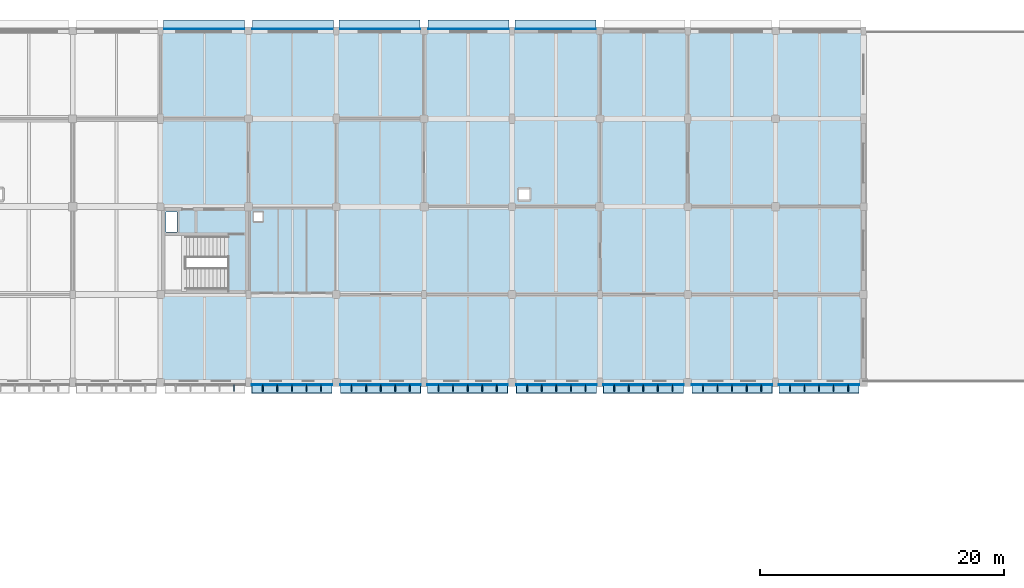
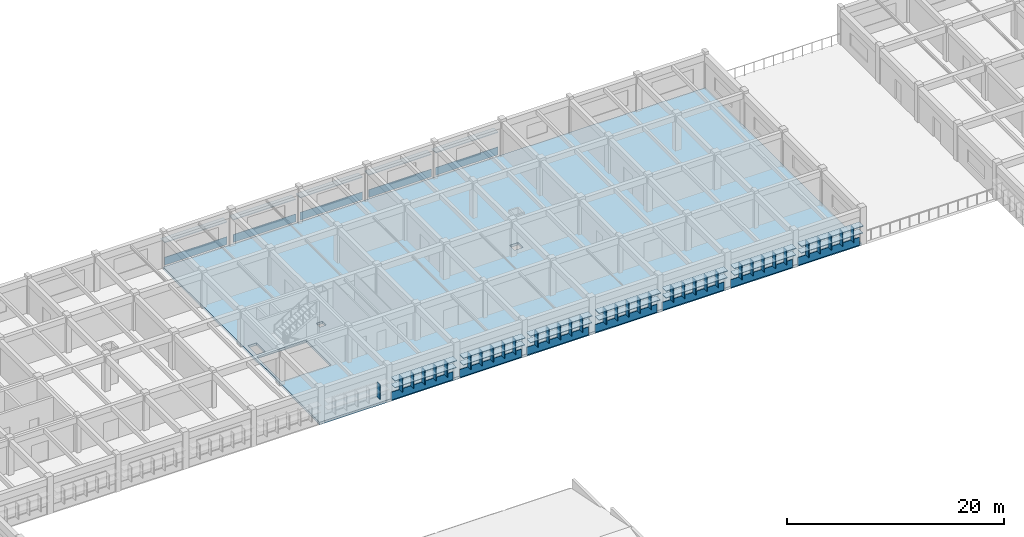
# One storey, part 75 of 103: 67 plates, 1 slab.
"""IFC4 building model written with IfcOpenShell, lengths in metres."""

from ifc_helpers import new_model, si_unit, direction, frame, origin, origin_2d, place, context, subcontext, project, spatial, polyline, rectangle, outline, extrude, material, layer, layer_set, type_object, element, save


model = new_model("IFC4")

# Units and contexts
model_context = context("Model", 3, precision=1e-05, world=origin(), true_north=direction((0.0, 1.0)))
body_context = subcontext(model_context, "Body", "Model", "MODEL_VIEW")
ifc_project = project(units=[si_unit("LENGTHUNIT", "METRE"), si_unit("AREAUNIT", "SQUARE_METRE"), si_unit("VOLUMEUNIT", "CUBIC_METRE"), si_unit("PLANEANGLEUNIT", "RADIAN"), si_unit("MASSUNIT", "GRAM", prefix="KILO")], contexts=[model_context])

# Site, building, storey
site_placement = place(None, origin())
site = spatial("IfcSite", under=ifc_project, at=site_placement, CompositionType="ELEMENT")
building_placement = place(site_placement, origin())
building = spatial("IfcBuilding", under=site, at=building_placement, Name="Thalmaran Polytechnic", CompositionType="ELEMENT")
storey_placement = place(building_placement, frame((0.0, 0.0, 14.39990234375)))
storey = spatial("IfcBuildingStorey", under=building, at=storey_placement, Name="L03", CompositionType="ELEMENT", Elevation=14.39990234375)

# Plates
ifc_material_1 = material(Name="Anodised aluminium spandrel band", Category="aluminium")
ifc_layer_1 = layer(ifc_material_1, 0.054931640625, Name="Anodised aluminium spandrel band")
ifc_layer_set_1 = layer_set([ifc_layer_1], Name="Anodised aluminium spandrel band")
plate_type_1 = type_object("IfcPlateType", Name="PT-BD01", PredefinedType="SHEET", material=ifc_layer_set_1)
for number, where, z_axis, x_axis, name in (
    (1, (61.14990234375, 122.570068359375, 0.020263671875), (0.0, 0.0, 1.0), (1.0, 0.0, 0.0), "Streamline Horizontal Spandrel Band L03-064"),
    (2, (68.449951171875, 122.570068359375, 0.020263671875), (0.0, 0.0, 1.0), (1.0, 0.0, 0.0), "Streamline Horizontal Spandrel Band L03-065"),
    (3, (75.550048828125, 122.570068359375, 0.020263671875), (0.0, 0.0, 1.0), (1.0, 0.0, 0.0), "Streamline Horizontal Spandrel Band L03-066"),
    (4, (82.85009765625, 122.570068359375, 0.020263671875), (0.0, 0.0, 1.0), (1.0, 0.0, 0.0), "Streamline Horizontal Spandrel Band L03-067"),
    (5, (89.949951171875, 122.570068359375, 0.020263671875), (0.0, 0.0, 1.0), (1.0, 0.0, 0.0), "Streamline Horizontal Spandrel Band L03-068"),
):
    element("IfcPlate", number, at=place(storey_placement, frame(where, z_axis=z_axis, x_axis=x_axis)), inside=storey, type_object=plate_type_1, Name=name, PredefinedType="SHEET", context=body_context, shape_type="SweptSolid", body=[
        extrude(rectangle(XDim=6.639892578125, YDim=0.054931640625, at=origin_2d()), origin(), (0.0, 0.0, 1.0), 0.8798828125),
    ])
for number, where, z_axis, x_axis, name in (
    (6, (111.5625, 93.405029296875, 0.020263671875), (0.0, 0.0, 1.0), (-1.0, 0.0, 0.0), "Streamline Horizontal Spandrel Band L03-076"),
    (7, (104.4375, 93.405029296875, 0.020263671875), (0.0, 0.0, 1.0), (-1.0, 0.0, 0.0), "Streamline Horizontal Spandrel Band L03-077"),
    (8, (97.16259765625, 93.405029296875, 0.020263671875), (0.0, 0.0, 1.0), (-1.0, 0.0, 0.0), "Streamline Horizontal Spandrel Band L03-078"),
    (9, (90.03759765625, 93.405029296875, 0.020263671875), (0.0, 0.0, 1.0), (-1.0, 0.0, 0.0), "Streamline Horizontal Spandrel Band L03-079"),
    (10, (82.762451171875, 93.405029296875, 0.020263671875), (0.0, 0.0, 1.0), (-1.0, 0.0, 0.0), "Streamline Horizontal Spandrel Band L03-080"),
    (11, (75.637451171875, 93.405029296875, 0.020263671875), (0.0, 0.0, 1.0), (-1.0, 0.0, 0.0), "Streamline Horizontal Spandrel Band L03-081"),
    (12, (68.362548828125, 93.405029296875, 0.020263671875), (0.0, 0.0, 1.0), (-1.0, 0.0, 0.0), "Streamline Horizontal Spandrel Band L03-082"),
):
    element("IfcPlate", number, at=place(storey_placement, frame(where, z_axis=z_axis, x_axis=x_axis)), inside=storey, type_object=plate_type_1, Name=name, PredefinedType="SHEET", context=body_context, shape_type="SweptSolid", body=[
        extrude(rectangle(XDim=6.5849609375, YDim=0.054931640625, at=origin_2d()), origin(), (0.0, 0.0, 1.0), 0.8798828125),
    ])
ifc_material_2 = material(Name="Anodised aluminium sun-hood eyebrow", Category="aluminium")
ifc_layer_2 = layer(ifc_material_2, 0.0849609375, Name="Anodised aluminium sun-hood eyebrow")
ifc_layer_set_2 = layer_set([ifc_layer_2], Name="Anodised aluminium sun-hood eyebrow")
plate_type_2 = type_object("IfcPlateType", Name="PT-EB01", PredefinedType="SHEET", material=ifc_layer_set_2)
for number, where, z_axis, x_axis, name in (
    (13, (61.14990234375, 122.9150390625, 2.517578125), (0.0, 0.0, 1.0), (1.0, 0.0, 0.0), "Streamline Sun-Hood Eyebrow L03-064"),
    (14, (68.449951171875, 122.9150390625, 2.517578125), (0.0, 0.0, 1.0), (1.0, 0.0, 0.0), "Streamline Sun-Hood Eyebrow L03-065"),
    (15, (75.550048828125, 122.9150390625, 2.517578125), (0.0, 0.0, 1.0), (1.0, 0.0, 0.0), "Streamline Sun-Hood Eyebrow L03-066"),
    (16, (82.85009765625, 122.9150390625, 2.517578125), (0.0, 0.0, 1.0), (1.0, 0.0, 0.0), "Streamline Sun-Hood Eyebrow L03-067"),
    (17, (89.949951171875, 122.9150390625, 2.517578125), (0.0, 0.0, 1.0), (1.0, 0.0, 0.0), "Streamline Sun-Hood Eyebrow L03-068"),
):
    element("IfcPlate", number, at=place(storey_placement, frame(where, z_axis=z_axis, x_axis=x_axis)), inside=storey, type_object=plate_type_2, Name=name, PredefinedType="SHEET", context=body_context, shape_type="SweptSolid", body=[
        extrude(rectangle(XDim=6.639892578125, YDim=0.760009765625, at=origin_2d()), origin(), (0.0, 0.0, 1.0), 0.0849609375),
    ])
plate_1_placement = place(storey_placement, frame((111.5625, 93.06005859375, 2.517578125), z_axis=(0.0, 0.0, 1.0), x_axis=(-1.0, 0.0, 0.0)))
element("IfcPlate", 18, at=plate_1_placement, inside=storey, type_object=plate_type_2, Name="Streamline Sun-Hood Eyebrow L03-076", PredefinedType="SHEET", context=body_context, shape_type="SweptSolid", body=[
    extrude(rectangle(XDim=6.5849609375, YDim=0.760009765625, at=origin_2d()), origin(), (0.0, 0.0, 1.0), 0.0849609375),
])
plate_2_placement = place(storey_placement, frame((111.5625, 93.080078125, 1.74267578125), z_axis=(0.0, 0.0, 1.0), x_axis=(-1.0, 0.0, 0.0)))
element("IfcPlate", 19, at=plate_2_placement, inside=storey, type_object=plate_type_2, Name="Abu Dhabi Horizontal Solar Louvre L03-076", PredefinedType="SHEET", context=body_context, shape_type="SweptSolid", body=[
    extrude(rectangle(XDim=6.544921875, YDim=0.719970703125, at=origin_2d()), origin(), (0.0, 0.0, 1.0), 0.074951171875),
])
plate_3_placement = place(storey_placement, frame((104.4375, 93.06005859375, 2.517578125), z_axis=(0.0, 0.0, 1.0), x_axis=(-1.0, 0.0, 0.0)))
element("IfcPlate", 20, at=plate_3_placement, inside=storey, type_object=plate_type_2, Name="Streamline Sun-Hood Eyebrow L03-077", PredefinedType="SHEET", context=body_context, shape_type="SweptSolid", body=[
    extrude(rectangle(XDim=6.5849609375, YDim=0.760009765625, at=origin_2d()), origin(), (0.0, 0.0, 1.0), 0.0849609375),
])
plate_4_placement = place(storey_placement, frame((104.4375, 93.080078125, 1.74267578125), z_axis=(0.0, 0.0, 1.0), x_axis=(-1.0, 0.0, 0.0)))
element("IfcPlate", 21, at=plate_4_placement, inside=storey, type_object=plate_type_2, Name="Abu Dhabi Horizontal Solar Louvre L03-077", PredefinedType="SHEET", context=body_context, shape_type="SweptSolid", body=[
    extrude(rectangle(XDim=6.544921875, YDim=0.719970703125, at=origin_2d()), origin(), (0.0, 0.0, 1.0), 0.074951171875),
])
plate_5_placement = place(storey_placement, frame((97.16259765625, 93.06005859375, 2.517578125), z_axis=(0.0, 0.0, 1.0), x_axis=(-1.0, 0.0, 0.0)))
element("IfcPlate", 22, at=plate_5_placement, inside=storey, type_object=plate_type_2, Name="Streamline Sun-Hood Eyebrow L03-078", PredefinedType="SHEET", context=body_context, shape_type="SweptSolid", body=[
    extrude(rectangle(XDim=6.5849609375, YDim=0.760009765625, at=origin_2d()), origin(), (0.0, 0.0, 1.0), 0.0849609375),
])
plate_6_placement = place(storey_placement, frame((97.16259765625, 93.080078125, 1.74267578125), z_axis=(0.0, 0.0, 1.0), x_axis=(-1.0, 0.0, 0.0)))
element("IfcPlate", 23, at=plate_6_placement, inside=storey, type_object=plate_type_2, Name="Abu Dhabi Horizontal Solar Louvre L03-078", PredefinedType="SHEET", context=body_context, shape_type="SweptSolid", body=[
    extrude(rectangle(XDim=6.544921875, YDim=0.719970703125, at=origin_2d()), origin(), (0.0, 0.0, 1.0), 0.074951171875),
])
plate_7_placement = place(storey_placement, frame((90.03759765625, 93.06005859375, 2.517578125), z_axis=(0.0, 0.0, 1.0), x_axis=(-1.0, 0.0, 0.0)))
element("IfcPlate", 24, at=plate_7_placement, inside=storey, type_object=plate_type_2, Name="Streamline Sun-Hood Eyebrow L03-079", PredefinedType="SHEET", context=body_context, shape_type="SweptSolid", body=[
    extrude(rectangle(XDim=6.5849609375, YDim=0.760009765625, at=origin_2d()), origin(), (0.0, 0.0, 1.0), 0.0849609375),
])
plate_8_placement = place(storey_placement, frame((90.03759765625, 93.080078125, 1.74267578125), z_axis=(0.0, 0.0, 1.0), x_axis=(-1.0, 0.0, 0.0)))
element("IfcPlate", 25, at=plate_8_placement, inside=storey, type_object=plate_type_2, Name="Abu Dhabi Horizontal Solar Louvre L03-079", PredefinedType="SHEET", context=body_context, shape_type="SweptSolid", body=[
    extrude(rectangle(XDim=6.544921875, YDim=0.719970703125, at=origin_2d()), origin(), (0.0, 0.0, 1.0), 0.074951171875),
])
plate_9_placement = place(storey_placement, frame((82.762451171875, 93.06005859375, 2.517578125), z_axis=(0.0, 0.0, 1.0), x_axis=(-1.0, 0.0, 0.0)))
element("IfcPlate", 26, at=plate_9_placement, inside=storey, type_object=plate_type_2, Name="Streamline Sun-Hood Eyebrow L03-080", PredefinedType="SHEET", context=body_context, shape_type="SweptSolid", body=[
    extrude(rectangle(XDim=6.5849609375, YDim=0.760009765625, at=origin_2d()), origin(), (0.0, 0.0, 1.0), 0.0849609375),
])
plate_10_placement = place(storey_placement, frame((82.762451171875, 93.080078125, 1.74267578125), z_axis=(0.0, 0.0, 1.0), x_axis=(-1.0, 0.0, 0.0)))
element("IfcPlate", 27, at=plate_10_placement, inside=storey, type_object=plate_type_2, Name="Abu Dhabi Horizontal Solar Louvre L03-080", PredefinedType="SHEET", context=body_context, shape_type="SweptSolid", body=[
    extrude(rectangle(XDim=6.544921875, YDim=0.719970703125, at=origin_2d()), origin(), (0.0, 0.0, 1.0), 0.074951171875),
])
plate_11_placement = place(storey_placement, frame((75.637451171875, 93.06005859375, 2.517578125), z_axis=(0.0, 0.0, 1.0), x_axis=(-1.0, 0.0, 0.0)))
element("IfcPlate", 28, at=plate_11_placement, inside=storey, type_object=plate_type_2, Name="Streamline Sun-Hood Eyebrow L03-081", PredefinedType="SHEET", context=body_context, shape_type="SweptSolid", body=[
    extrude(rectangle(XDim=6.5849609375, YDim=0.760009765625, at=origin_2d()), origin(), (0.0, 0.0, 1.0), 0.0849609375),
])
plate_12_placement = place(storey_placement, frame((75.637451171875, 93.080078125, 1.74267578125), z_axis=(0.0, 0.0, 1.0), x_axis=(-1.0, 0.0, 0.0)))
element("IfcPlate", 29, at=plate_12_placement, inside=storey, type_object=plate_type_2, Name="Abu Dhabi Horizontal Solar Louvre L03-081", PredefinedType="SHEET", context=body_context, shape_type="SweptSolid", body=[
    extrude(rectangle(XDim=6.544921875, YDim=0.719970703125, at=origin_2d()), origin(), (0.0, 0.0, 1.0), 0.074951171875),
])
plate_13_placement = place(storey_placement, frame((68.362548828125, 93.06005859375, 2.517578125), z_axis=(0.0, 0.0, 1.0), x_axis=(-1.0, 0.0, 0.0)))
element("IfcPlate", 30, at=plate_13_placement, inside=storey, type_object=plate_type_2, Name="Streamline Sun-Hood Eyebrow L03-082", PredefinedType="SHEET", context=body_context, shape_type="SweptSolid", body=[
    extrude(rectangle(XDim=6.5849609375, YDim=0.760009765625, at=origin_2d()), origin(), (0.0, 0.0, 1.0), 0.0849609375),
])
plate_14_placement = place(storey_placement, frame((68.362548828125, 93.080078125, 1.74267578125), z_axis=(0.0, 0.0, 1.0), x_axis=(-1.0, 0.0, 0.0)))
element("IfcPlate", 31, at=plate_14_placement, inside=storey, type_object=plate_type_2, Name="Abu Dhabi Horizontal Solar Louvre L03-082", PredefinedType="SHEET", context=body_context, shape_type="SweptSolid", body=[
    extrude(rectangle(XDim=6.544921875, YDim=0.719970703125, at=origin_2d()), origin(), (0.0, 0.0, 1.0), 0.074951171875),
])
ifc_material_3 = material(Name="Anodised bronze brise-soleil fin")
ifc_layer_3 = layer(ifc_material_3, 0.06494140625, Name="Anodised bronze brise-soleil fin")
ifc_layer_set_3 = layer_set([ifc_layer_3], Name="Anodised bronze brise-soleil fin")
plate_type_3 = type_object("IfcPlateType", Name="PT-FN01", PredefinedType="SHEET", material=ifc_layer_set_3)
for number, where, z_axis, x_axis, name in (
    (32, (113.947509765625, 93.139892578125, 0.895263671875), (0.0, 0.0, 1.0), (-1.0, 0.0, 0.0), "Abu Dhabi Solar Brise-Soleil Fin L03-076-1"),
    (33, (112.7548828125, 93.139892578125, 0.895263671875), (0.0, 0.0, 1.0), (-1.0, 0.0, 0.0), "Abu Dhabi Solar Brise-Soleil Fin L03-076-2"),
    (34, (111.5625, 93.139892578125, 0.895263671875), (0.0, 0.0, 1.0), (-1.0, 0.0, 0.0), "Abu Dhabi Solar Brise-Soleil Fin L03-076-3"),
    (35, (110.3701171875, 93.139892578125, 0.895263671875), (0.0, 0.0, 1.0), (-1.0, 0.0, 0.0), "Abu Dhabi Solar Brise-Soleil Fin L03-076-4"),
    (36, (109.177490234375, 93.139892578125, 0.895263671875), (0.0, 0.0, 1.0), (-1.0, 0.0, 0.0), "Abu Dhabi Solar Brise-Soleil Fin L03-076-5"),
    (37, (106.822509765625, 93.139892578125, 0.895263671875), (0.0, 0.0, 1.0), (-1.0, 0.0, 0.0), "Abu Dhabi Solar Brise-Soleil Fin L03-077-1"),
    (38, (105.6298828125, 93.139892578125, 0.895263671875), (0.0, 0.0, 1.0), (-1.0, 0.0, 0.0), "Abu Dhabi Solar Brise-Soleil Fin L03-077-2"),
    (39, (104.4375, 93.139892578125, 0.895263671875), (0.0, 0.0, 1.0), (-1.0, 0.0, 0.0), "Abu Dhabi Solar Brise-Soleil Fin L03-077-3"),
    (40, (103.2451171875, 93.139892578125, 0.895263671875), (0.0, 0.0, 1.0), (-1.0, 0.0, 0.0), "Abu Dhabi Solar Brise-Soleil Fin L03-077-4"),
    (41, (102.052490234375, 93.139892578125, 0.895263671875), (0.0, 0.0, 1.0), (-1.0, 0.0, 0.0), "Abu Dhabi Solar Brise-Soleil Fin L03-077-5"),
    (42, (99.547607421875, 93.139892578125, 0.895263671875), (0.0, 0.0, 1.0), (-1.0, 0.0, 0.0), "Abu Dhabi Solar Brise-Soleil Fin L03-078-1"),
    (43, (98.35498046875, 93.139892578125, 0.895263671875), (0.0, 0.0, 1.0), (-1.0, 0.0, 0.0), "Abu Dhabi Solar Brise-Soleil Fin L03-078-2"),
    (44, (97.16259765625, 93.139892578125, 0.895263671875), (0.0, 0.0, 1.0), (-1.0, 0.0, 0.0), "Abu Dhabi Solar Brise-Soleil Fin L03-078-3"),
    (45, (95.969970703125, 93.139892578125, 0.895263671875), (0.0, 0.0, 1.0), (-1.0, 0.0, 0.0), "Abu Dhabi Solar Brise-Soleil Fin L03-078-4"),
    (46, (94.777587890625, 93.139892578125, 0.895263671875), (0.0, 0.0, 1.0), (-1.0, 0.0, 0.0), "Abu Dhabi Solar Brise-Soleil Fin L03-078-5"),
    (47, (92.422607421875, 93.139892578125, 0.895263671875), (0.0, 0.0, 1.0), (-1.0, 0.0, 0.0), "Abu Dhabi Solar Brise-Soleil Fin L03-079-1"),
    (48, (91.22998046875, 93.139892578125, 0.895263671875), (0.0, 0.0, 1.0), (-1.0, 0.0, 0.0), "Abu Dhabi Solar Brise-Soleil Fin L03-079-2"),
    (49, (90.03759765625, 93.139892578125, 0.895263671875), (0.0, 0.0, 1.0), (-1.0, 0.0, 0.0), "Abu Dhabi Solar Brise-Soleil Fin L03-079-3"),
    (50, (88.844970703125, 93.139892578125, 0.895263671875), (0.0, 0.0, 1.0), (-1.0, 0.0, 0.0), "Abu Dhabi Solar Brise-Soleil Fin L03-079-4"),
    (51, (87.652587890625, 93.139892578125, 0.895263671875), (0.0, 0.0, 1.0), (-1.0, 0.0, 0.0), "Abu Dhabi Solar Brise-Soleil Fin L03-079-5"),
    (52, (85.1474609375, 93.139892578125, 0.895263671875), (0.0, 0.0, 1.0), (-1.0, 0.0, 0.0), "Abu Dhabi Solar Brise-Soleil Fin L03-080-1"),
    (53, (83.955078125, 93.139892578125, 0.895263671875), (0.0, 0.0, 1.0), (-1.0, 0.0, 0.0), "Abu Dhabi Solar Brise-Soleil Fin L03-080-2"),
    (54, (82.762451171875, 93.139892578125, 0.895263671875), (0.0, 0.0, 1.0), (-1.0, 0.0, 0.0), "Abu Dhabi Solar Brise-Soleil Fin L03-080-3"),
    (55, (81.570068359375, 93.139892578125, 0.895263671875), (0.0, 0.0, 1.0), (-1.0, 0.0, 0.0), "Abu Dhabi Solar Brise-Soleil Fin L03-080-4"),
    (56, (80.37744140625, 93.139892578125, 0.895263671875), (0.0, 0.0, 1.0), (-1.0, 0.0, 0.0), "Abu Dhabi Solar Brise-Soleil Fin L03-080-5"),
    (57, (78.0224609375, 93.139892578125, 0.895263671875), (0.0, 0.0, 1.0), (-1.0, 0.0, 0.0), "Abu Dhabi Solar Brise-Soleil Fin L03-081-1"),
    (58, (76.830078125, 93.139892578125, 0.895263671875), (0.0, 0.0, 1.0), (-1.0, 0.0, 0.0), "Abu Dhabi Solar Brise-Soleil Fin L03-081-2"),
    (59, (75.637451171875, 93.139892578125, 0.895263671875), (0.0, 0.0, 1.0), (-1.0, 0.0, 0.0), "Abu Dhabi Solar Brise-Soleil Fin L03-081-3"),
    (60, (74.445068359375, 93.139892578125, 0.895263671875), (0.0, 0.0, 1.0), (-1.0, 0.0, 0.0), "Abu Dhabi Solar Brise-Soleil Fin L03-081-4"),
    (61, (73.25244140625, 93.139892578125, 0.895263671875), (0.0, 0.0, 1.0), (-1.0, 0.0, 0.0), "Abu Dhabi Solar Brise-Soleil Fin L03-081-5"),
    (62, (70.74755859375, 93.139892578125, 0.895263671875), (0.0, 0.0, 1.0), (-1.0, 0.0, 0.0), "Abu Dhabi Solar Brise-Soleil Fin L03-082-1"),
    (63, (69.554931640625, 93.139892578125, 0.895263671875), (0.0, 0.0, 1.0), (-1.0, 0.0, 0.0), "Abu Dhabi Solar Brise-Soleil Fin L03-082-2"),
    (64, (68.362548828125, 93.139892578125, 0.895263671875), (0.0, 0.0, 1.0), (-1.0, 0.0, 0.0), "Abu Dhabi Solar Brise-Soleil Fin L03-082-3"),
    (65, (67.169921875, 93.139892578125, 0.895263671875), (0.0, 0.0, 1.0), (-1.0, 0.0, 0.0), "Abu Dhabi Solar Brise-Soleil Fin L03-082-4"),
    (66, (65.9775390625, 93.139892578125, 0.895263671875), (0.0, 0.0, 1.0), (-1.0, 0.0, 0.0), "Abu Dhabi Solar Brise-Soleil Fin L03-082-5"),
    (67, (63.62255859375, 93.139892578125, 0.895263671875), (0.0, 0.0, 1.0), (-1.0, 0.0, 0.0), "Abu Dhabi Solar Brise-Soleil Fin L03-083-1"),
):
    element("IfcPlate", number, at=place(storey_placement, frame(where, z_axis=z_axis, x_axis=x_axis)), inside=storey, type_object=plate_type_3, Name=name, PredefinedType="SHEET", context=body_context, shape_type="SweptSolid", body=[
        extrude(rectangle(XDim=0.06494140625, YDim=0.56005859375, at=origin_2d()), origin(), (0.0, 0.0, 1.0), 1.64990234375),
    ])

# Slab
ifc_material_4 = material(Name="Concrete C40/50", Category="concrete")
ifc_layer_4 = layer(ifc_material_4, 0.27490234375, Name="Concrete C40/50")
ifc_layer_set_4 = layer_set([ifc_layer_4], Name="Concrete C40/50")
slab_type = type_object("IfcSlabType", Name="SL-FL05", PredefinedType="FLOOR", material=ifc_layer_set_4)
slab_placement = place(storey_placement, frame((0.0, 0.0, -0.27490234375)))
element("IfcSlab", 68, at=slab_placement, inside=storey, type_object=slab_type, Name="V2E L03 Structural Slab", PredefinedType="FLOOR", context=body_context, shape_type="SweptSolid", body=[
    extrude(outline(polyline([(57.60009765625, 108.0), (57.60009765625, 115.199951171875), (57.60009765625, 122.39990234375), (64.800048828125, 122.39990234375), (72.0, 122.39990234375), (79.199951171875, 122.39990234375), (86.39990234375, 122.39990234375), (93.60009765625, 122.39990234375), (100.800048828125, 122.39990234375), (108.0, 122.39990234375), (115.199951171875, 122.39990234375), (115.199951171875, 115.199951171875), (115.199951171875, 108.0), (115.199951171875, 100.800048828125), (115.199951171875, 93.60009765625), (108.0, 93.60009765625), (100.800048828125, 93.60009765625), (93.60009765625, 93.60009765625), (86.39990234375, 93.60009765625), (79.199951171875, 93.60009765625), (72.0, 93.60009765625), (64.800048828125, 93.60009765625), (57.60009765625, 93.60009765625), (57.60009765625, 100.800048828125), (57.60009765625, 108.0)]), holes=[polyline([(87.85009765625, 109.449951171875), (86.949951171875, 109.449951171875), (86.949951171875, 108.550048828125), (87.85009765625, 108.550048828125), (87.85009765625, 109.449951171875)]), polyline([(65.25, 107.530029296875), (65.25, 106.830078125), (65.949951171875, 106.830078125), (65.949951171875, 107.530029296875), (65.25, 107.530029296875)]), polyline([(63.1201171875, 101.050048828125), (63.1201171875, 105.639892578125), (57.85009765625, 105.639892578125), (57.85009765625, 101.050048828125), (63.1201171875, 101.050048828125)]), polyline([(58.0400390625, 105.93994140625), (58.9599609375, 105.93994140625), (58.9599609375, 107.56005859375), (58.0400390625, 107.56005859375), (58.0400390625, 105.93994140625)])]), origin(), (0.0, 0.0, 1.0), 0.27490234375),
])

save(model, "model.ifc")
